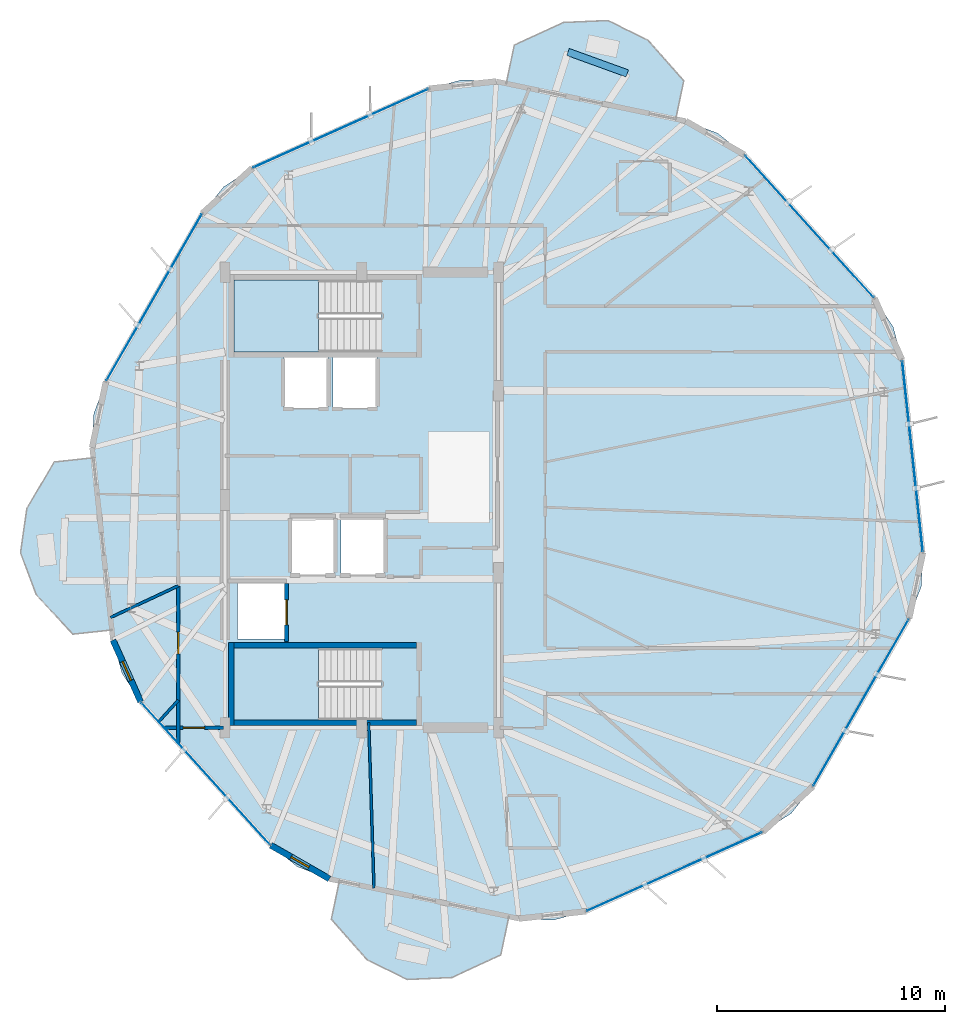
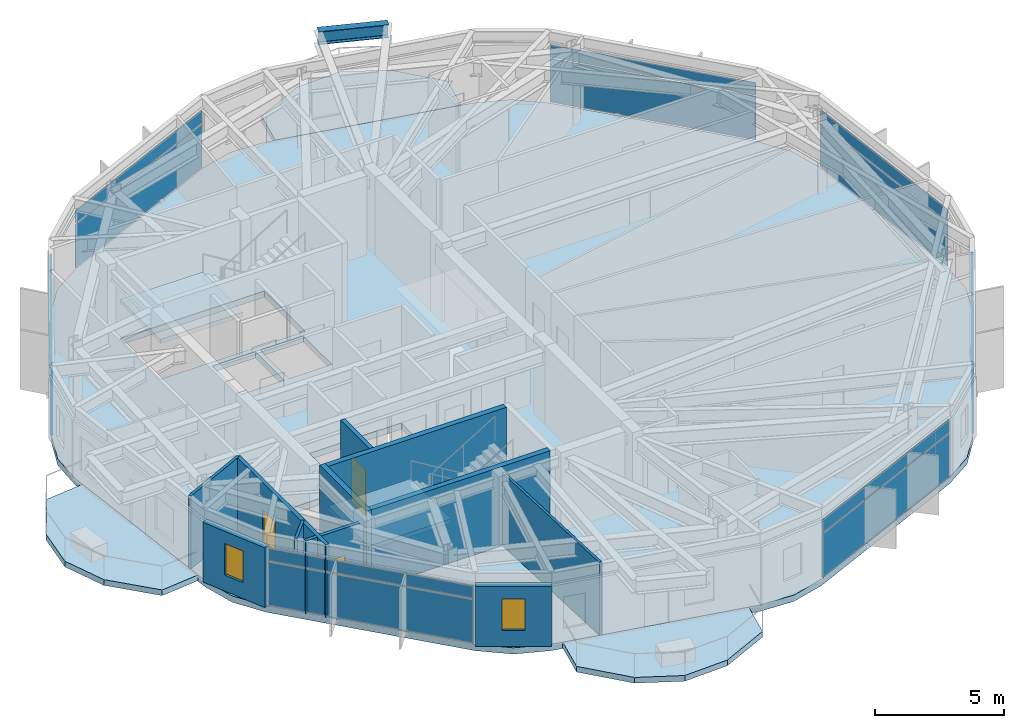
# One storey, part 16 of 23: 14 plates, 12 walls, 6 slabs, 3 doors, 2 windows, 1 beam, 5 openings, 9 elements without a shape of their own.
"""IFC4 building model written with IfcOpenShell, lengths in metres."""

from ifc_helpers import new_model, si_unit, direction, frame, frame_2d, origin, origin_2d, place, context, subcontext, project, spatial, polyline, rectangle, i_section, outline, extrude, material, layer, layer_set, material_profile, profile_set, type_object, element, fill, aggregate, save


model = new_model("IFC4")

# Units and contexts
model_context = context("Model", 3, precision=1e-05, world=origin(), true_north=direction((0.0, 1.0)))
body_context = subcontext(model_context, "Body", "Model", "MODEL_VIEW")
ifc_project = project(units=[si_unit("LENGTHUNIT", "METRE"), si_unit("AREAUNIT", "SQUARE_METRE"), si_unit("VOLUMEUNIT", "CUBIC_METRE"), si_unit("PLANEANGLEUNIT", "RADIAN"), si_unit("MASSUNIT", "GRAM", prefix="KILO")], contexts=[model_context])

# Site, building, storey
site_placement = place(None, origin())
site = spatial("IfcSite", under=ifc_project, at=site_placement, CompositionType="ELEMENT")
building_placement = place(site_placement, origin())
building = spatial("IfcBuilding", under=site, at=building_placement, Name="Soratama Intermodal Tower", CompositionType="ELEMENT")
storey_placement = place(building_placement, frame((0.0, 0.0, 253.75)))
storey = spatial("IfcBuildingStorey", under=building, at=storey_placement, Name="L64", CompositionType="ELEMENT", Elevation=253.75)

# Beam
ifc_material_1 = material(Name="Structural steel ASTM A992 Grade 50", Category="steel")
ifc_material_profile = material_profile(ifc_material_1, i_section(OverallWidth=0.324951171875, OverallDepth=0.615966796875, WebThickness=0.013916015625, FlangeThickness=0.021484375, FilletRadius=0.013916015625, at=origin_2d()), Name="W24X117")
ifc_profile_set = profile_set([ifc_material_profile], Name="Structural steel ASTM A992 Grade 50")
beam_type = type_object("IfcBeamType", Name="BM-CANT-W24X117", PredefinedType="BEAM", material=ifc_profile_set)
beam_placement = place(storey_placement, frame((50.25390625, 43.72412109375, 3.14208984375), z_axis=(-0.940200049983, 0.340622762028, 0.0), x_axis=(-0.340622762028, -0.940200049983, 0.0)))
element("IfcBeam", 1, at=beam_placement, inside=storey, type_object=beam_type, Name="BM-L64-CBHDR-1", PredefinedType="BEAM", context=body_context, shape_type="SweptSolid", body=[
    extrude(i_section(OverallWidth=0.324951171875, OverallDepth=0.615966796875, WebThickness=0.013916015625, FlangeThickness=0.021484375, FilletRadius=0.013916015625, at=origin_2d()), origin(), (0.0, 0.0, 1.0), 2.76513671875),
])

# Curtain wall, plates
ifc_material_2 = material(Name="Double-glazed aluminium curtain wall", Category="aluminium")
ifc_layer_1 = layer(ifc_material_2, 0.159912109375)
ifc_layer_set_1 = layer_set([ifc_layer_1], Name="Double-glazed aluminium curtain wall")
curtain_wall_type = type_object("IfcCurtainWallType", Name="CW-SYS-5", PredefinedType="NOTDEFINED", material=ifc_layer_set_1)
curtain_wall_1_placement = place(storey_placement, origin())
curtain_wall_1 = element("IfcCurtainWall", 2, at=curtain_wall_1_placement, inside=storey, type_object=curtain_wall_type, Name="L64 Faceted Curtain Wall F02", PredefinedType="NOTDEFINED")
ifc_material_3 = material(Name="Low-E laminated double glazing", Category="glass")
ifc_layer_2 = layer(ifc_material_3, 0.02001953125)
ifc_layer_set_2 = layer_set([ifc_layer_2], Name="Low-E laminated double glazing")
plate_type = type_object("IfcPlateType", Name="PT-CWP-5", PredefinedType="CURTAIN_PANEL", material=ifc_layer_set_2)
plate_1_placement = place(storey_placement, frame((37.67626953125, 41.31103515625, 0.06005859375), z_axis=(0.0, 0.0, 1.0), x_axis=(-0.912266572952, -0.409596996905, 0.0)))
plate_1 = element("IfcPlate", 3, at=plate_1_placement, type_object=plate_type, Name="CW-5 panel 1.1", PredefinedType="CURTAIN_PANEL", context=body_context, shape_type="SweptSolid", body=[
    extrude(rectangle(XDim=8.3798828125, YDim=0.028076171875, at=origin_2d()), origin(), (0.0, 0.0, 1.0), 2.06005859375),
])
plate_2_placement = place(storey_placement, frame((37.67626953125, 41.31103515625, 2.18017578125), z_axis=(0.0, 0.0, 1.0), x_axis=(-0.912266572952, -0.409596996905, 0.0)))
plate_2 = element("IfcPlate", 4, at=plate_2_placement, type_object=plate_type, Name="CW-5 panel 1.2", PredefinedType="CURTAIN_PANEL", context=body_context, shape_type="SweptSolid", body=[
    extrude(rectangle(XDim=8.3798828125, YDim=0.028076171875, at=origin_2d()), origin(), (0.0, 0.0, 1.0), 0.589111328125),
])
aggregate(curtain_wall_1, [plate_1, plate_2])

curtain_wall_2_placement = place(storey_placement, origin())
curtain_wall_2 = element("IfcCurtainWall", 5, at=curtain_wall_2_placement, inside=storey, type_object=curtain_wall_type, Name="L64 Faceted Curtain Wall F03", PredefinedType="NOTDEFINED")
plate_3_placement = place(storey_placement, frame((29.487548828125, 33.891357421875, 0.06005859375), z_axis=(0.0, 0.0, 1.0), x_axis=(-0.497283876625, -0.867587889524, 0.0)))
plate_3 = element("IfcPlate", 6, at=plate_3_placement, type_object=plate_type, Name="CW-5 panel 1.1", PredefinedType="CURTAIN_PANEL", context=body_context, shape_type="SweptSolid", body=[
    extrude(rectangle(XDim=8.3798828125, YDim=0.028076171875, at=origin_2d()), origin(), (0.0, 0.0, 1.0), 2.06005859375),
])
plate_4_placement = place(storey_placement, frame((29.487548828125, 33.891357421875, 2.18017578125), z_axis=(0.0, 0.0, 1.0), x_axis=(-0.497283876625, -0.867587889524, 0.0)))
plate_4 = element("IfcPlate", 7, at=plate_4_placement, type_object=plate_type, Name="CW-5 panel 1.2", PredefinedType="CURTAIN_PANEL", context=body_context, shape_type="SweptSolid", body=[
    extrude(rectangle(XDim=8.3798828125, YDim=0.028076171875, at=origin_2d()), origin(), (0.0, 0.0, 1.0), 0.589111328125),
])
aggregate(curtain_wall_2, [plate_3, plate_4])

curtain_wall_3_placement = place(storey_placement, origin())
curtain_wall_3 = element("IfcCurtainWall", 8, at=curtain_wall_3_placement, inside=storey, type_object=curtain_wall_type, Name="L64 Faceted Curtain Wall F05", PredefinedType="NOTDEFINED")
plate_5_placement = place(storey_placement, frame((31.750244140625, 12.994384765625, 0.06005859375), z_axis=(0.0, 0.0, 1.0), x_axis=(0.671461487364, -0.741039453057, 0.0)))
plate_5 = element("IfcPlate", 9, at=plate_5_placement, type_object=plate_type, Name="CW-5 panel 1.1", PredefinedType="CURTAIN_PANEL", context=body_context, shape_type="SweptSolid", body=[
    extrude(rectangle(XDim=8.3798828125, YDim=0.028076171875, at=origin_2d()), origin(), (0.0, 0.0, 1.0), 2.06005859375),
])
plate_6_placement = place(storey_placement, frame((31.750244140625, 12.994384765625, 2.18017578125), z_axis=(0.0, 0.0, 1.0), x_axis=(0.671461487364, -0.741039453057, 0.0)))
plate_6 = element("IfcPlate", 10, at=plate_6_placement, type_object=plate_type, Name="CW-5 panel 1.2", PredefinedType="CURTAIN_PANEL", context=body_context, shape_type="SweptSolid", body=[
    extrude(rectangle(XDim=8.3798828125, YDim=0.028076171875, at=origin_2d()), origin(), (0.0, 0.0, 1.0), 0.589111328125),
])
aggregate(curtain_wall_3, [plate_5, plate_6])

curtain_wall_4_placement = place(storey_placement, origin())
curtain_wall_4 = element("IfcCurtainWall", 11, at=curtain_wall_4_placement, inside=storey, type_object=curtain_wall_type, Name="L64 Faceted Curtain Wall F07", PredefinedType="NOTDEFINED")
plate_7_placement = place(storey_placement, frame((52.32373046875, 8.68896484375, 0.06005859375), z_axis=(0.0, 0.0, 1.0), x_axis=(0.912266572952, 0.409596996905, 0.0)))
plate_7 = element("IfcPlate", 12, at=plate_7_placement, type_object=plate_type, Name="CW-5 panel 1.1", PredefinedType="CURTAIN_PANEL", context=body_context, shape_type="SweptSolid", body=[
    extrude(rectangle(XDim=8.3798828125, YDim=0.028076171875, at=origin_2d()), origin(), (0.0, 0.0, 1.0), 2.06005859375),
])
plate_8_placement = place(storey_placement, frame((52.32373046875, 8.68896484375, 2.18017578125), z_axis=(0.0, 0.0, 1.0), x_axis=(0.912266572952, 0.409596996905, 0.0)))
plate_8 = element("IfcPlate", 13, at=plate_8_placement, type_object=plate_type, Name="CW-5 panel 1.2", PredefinedType="CURTAIN_PANEL", context=body_context, shape_type="SweptSolid", body=[
    extrude(rectangle(XDim=8.3798828125, YDim=0.028076171875, at=origin_2d()), origin(), (0.0, 0.0, 1.0), 0.589111328125),
])
aggregate(curtain_wall_4, [plate_7, plate_8])

curtain_wall_5_placement = place(storey_placement, origin())
curtain_wall_5 = element("IfcCurtainWall", 14, at=curtain_wall_5_placement, inside=storey, type_object=curtain_wall_type, Name="L64 Faceted Curtain Wall F08", PredefinedType="NOTDEFINED")
plate_9_placement = place(storey_placement, frame((60.512451171875, 16.108642578125, 0.06005859375), z_axis=(0.0, 0.0, 1.0), x_axis=(0.497283876625, 0.867587889524, 0.0)))
plate_9 = element("IfcPlate", 15, at=plate_9_placement, type_object=plate_type, Name="CW-5 panel 1.1", PredefinedType="CURTAIN_PANEL", context=body_context, shape_type="SweptSolid", body=[
    extrude(rectangle(XDim=8.3798828125, YDim=0.028076171875, at=origin_2d()), origin(), (0.0, 0.0, 1.0), 2.06005859375),
])
plate_10_placement = place(storey_placement, frame((60.512451171875, 16.108642578125, 2.18017578125), z_axis=(0.0, 0.0, 1.0), x_axis=(0.497283876625, 0.867587889524, 0.0)))
plate_10 = element("IfcPlate", 16, at=plate_10_placement, type_object=plate_type, Name="CW-5 panel 1.2", PredefinedType="CURTAIN_PANEL", context=body_context, shape_type="SweptSolid", body=[
    extrude(rectangle(XDim=8.3798828125, YDim=0.028076171875, at=origin_2d()), origin(), (0.0, 0.0, 1.0), 0.589111328125),
])
aggregate(curtain_wall_5, [plate_9, plate_10])

curtain_wall_6_placement = place(storey_placement, origin())
curtain_wall_6 = element("IfcCurtainWall", 17, at=curtain_wall_6_placement, inside=storey, type_object=curtain_wall_type, Name="L64 Faceted Curtain Wall F09", PredefinedType="NOTDEFINED")
plate_11_placement = place(storey_placement, frame((62.77587890625, 26.9248046875, 0.06005859375), z_axis=(0.0, 0.0, 1.0), x_axis=(-0.107661305973, 0.994187629774, 0.0)))
plate_11 = element("IfcPlate", 18, at=plate_11_placement, type_object=plate_type, Name="CW-5 panel 1.1", PredefinedType="CURTAIN_PANEL", context=body_context, shape_type="SweptSolid", body=[
    extrude(rectangle(XDim=8.3798828125, YDim=0.028076171875, at=origin_2d()), origin(), (0.0, 0.0, 1.0), 2.06005859375),
])
plate_12_placement = place(storey_placement, frame((62.77587890625, 26.9248046875, 2.18017578125), z_axis=(0.0, 0.0, 1.0), x_axis=(-0.107661305973, 0.994187629774, 0.0)))
plate_12 = element("IfcPlate", 19, at=plate_12_placement, type_object=plate_type, Name="CW-5 panel 1.2", PredefinedType="CURTAIN_PANEL", context=body_context, shape_type="SweptSolid", body=[
    extrude(rectangle(XDim=8.3798828125, YDim=0.028076171875, at=origin_2d()), origin(), (0.0, 0.0, 1.0), 0.589111328125),
])
aggregate(curtain_wall_6, [plate_11, plate_12])

curtain_wall_7_placement = place(storey_placement, origin())
curtain_wall_7 = element("IfcCurtainWall", 20, at=curtain_wall_7_placement, inside=storey, type_object=curtain_wall_type, Name="L64 Faceted Curtain Wall F10", PredefinedType="NOTDEFINED")
plate_13_placement = place(storey_placement, frame((58.249755859375, 37.005615234375, 0.06005859375), z_axis=(0.0, 0.0, 1.0), x_axis=(-0.671461487364, 0.741039453057, 0.0)))
plate_13 = element("IfcPlate", 21, at=plate_13_placement, type_object=plate_type, Name="CW-5 panel 1.1", PredefinedType="CURTAIN_PANEL", context=body_context, shape_type="SweptSolid", body=[
    extrude(rectangle(XDim=8.3798828125, YDim=0.028076171875, at=origin_2d()), origin(), (0.0, 0.0, 1.0), 2.06005859375),
])
plate_14_placement = place(storey_placement, frame((58.249755859375, 37.005615234375, 2.18017578125), z_axis=(0.0, 0.0, 1.0), x_axis=(-0.671461487364, 0.741039453057, 0.0)))
plate_14 = element("IfcPlate", 22, at=plate_14_placement, type_object=plate_type, Name="CW-5 panel 1.2", PredefinedType="CURTAIN_PANEL", context=body_context, shape_type="SweptSolid", body=[
    extrude(rectangle(XDim=8.3798828125, YDim=0.028076171875, at=origin_2d()), origin(), (0.0, 0.0, 1.0), 0.589111328125),
])
aggregate(curtain_wall_7, [plate_13, plate_14])

# Slabs
ifc_material_4 = material(Name="Concrete f'c 42 MPa", Category="concrete")
ifc_layer_3 = layer(ifc_material_4, 0.27001953125)
ifc_layer_set_3 = layer_set([ifc_layer_3], Name="Concrete f'c 42 MPa")
slab_type_1 = type_object("IfcSlabType", Name="SL-EXT-BAL1", PredefinedType="FLOOR", material=ifc_layer_set_3)
slab_1_placement = place(storey_placement, frame((0.0, 0.0, -0.27001953125)))
element("IfcSlab", 23, at=slab_1_placement, inside=storey, type_object=slab_type_1, Name="L64 Planted Balcony North 1", PredefinedType="FLOOR", context=body_context, shape_type="SweptSolid", body=[
    extrude(outline(polyline([(52.3818359375, 41.722412109375), (44.943115234375, 43.279052734375), (45.29541015625, 44.962646484375), (47.445068359375, 45.95849609375), (49.404052734375, 46.0439453125), (51.164306640625, 45.180419921875), (52.734130859375, 43.406005859375), (52.3818359375, 41.722412109375)])), origin(), (0.0, 0.0, 1.0), 0.27001953125),
])
slab_2_placement = place(storey_placement, frame((0.0, 0.0, -0.27001953125)))
element("IfcSlab", 24, at=slab_2_placement, inside=storey, type_object=slab_type_1, Name="L64 Planted Balcony West 2", PredefinedType="FLOOR", context=body_context, shape_type="SweptSolid", body=[
    extrude(outline(polyline([(26.81494140625, 26.85302734375), (27.63330078125, 19.29736328125), (25.923095703125, 19.1123046875), (24.3115234375, 20.848876953125), (23.625, 22.685546875), (23.902587890625, 24.626708984375), (25.10498046875, 26.667724609375), (26.81494140625, 26.85302734375)])), origin(), (0.0, 0.0, 1.0), 0.27001953125),
])
slab_3_placement = place(storey_placement, frame((0.0, 0.0, -0.27001953125)))
element("IfcSlab", 25, at=slab_3_placement, inside=storey, type_object=slab_type_1, Name="L64 Planted Balcony South 3", PredefinedType="FLOOR", context=body_context, shape_type="SweptSolid", body=[
    extrude(outline(polyline([(37.6181640625, 8.277587890625), (45.056884765625, 6.720947265625), (44.70458984375, 5.037353515625), (42.554931640625, 4.04150390625), (40.595947265625, 3.9560546875), (38.835693359375, 4.819580078125), (37.265869140625, 6.593994140625), (37.6181640625, 8.277587890625)])), origin(), (0.0, 0.0, 1.0), 0.27001953125),
])

# Stair, slab
ifc_material_5 = material(Name="Concrete f'c 42 MPa", Category="concrete")
stair_type = type_object("IfcStairType", Name="ST-CORE-DOGLEG", PredefinedType="HALF_TURN_STAIR", material=ifc_material_5)
stair_1_placement = place(storey_placement, origin())
stair_1 = element("IfcStair", 26, at=stair_1_placement, inside=storey, type_object=stair_type, Name="L64 ST-1", PredefinedType="HALF_TURN_STAIR")
ifc_material_6 = material(Name="Concrete f'c 42 MPa", Category="concrete")
ifc_layer_4 = layer(ifc_material_6, 0.219970703125)
ifc_layer_set_4 = layer_set([ifc_layer_4], Name="Concrete f'c 42 MPa")
slab_type_2 = type_object("IfcSlabType", Name="SL-STAIR-LAND", PredefinedType="LANDING", material=ifc_layer_set_4)
slab_4_placement = place(storey_placement, frame((0.0, 0.0, 1.675048828125)))
slab_4 = element("IfcSlab", 27, at=slab_4_placement, type_object=slab_type_2, Name="ST-1 landing 1", PredefinedType="LANDING", context=body_context, shape_type="SweptSolid", body=[
    extrude(outline(polyline([(36.699951171875, 18.5), (33.0, 18.5), (33.0, 15.35009765625), (36.699951171875, 15.35009765625), (36.699951171875, 18.5)])), origin(), (0.0, 0.0, 1.0), 0.199951171875),
])
aggregate(stair_1, [slab_4])

stair_2_placement = place(storey_placement, origin())
stair_2 = element("IfcStair", 28, at=stair_2_placement, inside=storey, type_object=stair_type, Name="L64 ST-2", PredefinedType="HALF_TURN_STAIR")
slab_5_placement = place(storey_placement, frame((0.0, 0.0, 1.675048828125)))
slab_5 = element("IfcSlab", 29, at=slab_5_placement, type_object=slab_type_2, Name="ST-2 landing 1", PredefinedType="LANDING", context=body_context, shape_type="SweptSolid", body=[
    extrude(outline(polyline([(36.699951171875, 34.64990234375), (33.0, 34.64990234375), (33.0, 31.5), (36.699951171875, 31.5), (36.699951171875, 34.64990234375)])), origin(), (0.0, 0.0, 1.0), 0.199951171875),
])
aggregate(stair_2, [slab_5])

# Slab
ifc_material_7 = material(Name="Concrete f'c 42 MPa", Category="concrete")
ifc_layer_5 = layer(ifc_material_7, 0.280029296875)
ifc_layer_set_5 = layer_set([ifc_layer_5], Name="Concrete f'c 42 MPa")
slab_type_3 = type_object("IfcSlabType", Name="SL-TWR-280", PredefinedType="FLOOR", material=ifc_layer_set_5)
slab_6_placement = place(storey_placement, frame((0.0, 0.0, -0.300048828125)))
element("IfcSlab", 30, at=slab_6_placement, inside=storey, type_object=slab_type_3, Name="L64 Structural Floor Slab", PredefinedType="FLOOR", context=body_context, shape_type="SweptSolid", body=[
    extrude(outline(polyline([(55.39599609375, 40.155029296875), (54.22607421875, 41.096435546875), (52.822265625, 41.630126953125), (44.502685546875, 43.371337890625), (43.002685546875, 43.4453125), (41.553466796875, 43.052001953125), (33.79931640625, 39.5703125), (32.54248046875, 38.74853515625), (31.60107421875, 37.578369140625), (27.374267578125, 30.2041015625), (26.84033203125, 28.80029296875), (26.7666015625, 27.30029296875), (27.681640625, 18.85009765625), (28.07470703125, 17.400634765625), (28.896728515625, 16.143798828125), (34.60400390625, 9.844970703125), (35.77392578125, 8.903564453125), (37.177734375, 8.369873046875), (45.497314453125, 6.628662109375), (46.997314453125, 6.5546875), (48.446533203125, 6.947998046875), (56.20068359375, 10.4296875), (57.45751953125, 11.25146484375), (58.39892578125, 12.421630859375), (62.625732421875, 19.7958984375), (63.15966796875, 21.19970703125), (63.2333984375, 22.69970703125), (62.318359375, 31.14990234375), (61.92529296875, 32.599365234375), (61.103271484375, 33.856201171875), (55.39599609375, 40.155029296875)]), holes=[polyline([(33.0, 15.35009765625), (39.47509765625, 15.35009765625), (39.47509765625, 18.5), (33.0, 18.5), (33.0, 15.35009765625)]), polyline([(35.260009765625, 21.409912109375), (33.139892578125, 21.409912109375), (33.139892578125, 18.889892578125), (35.260009765625, 18.889892578125), (35.260009765625, 21.409912109375)]), polyline([(37.409912109375, 24.260009765625), (35.489990234375, 24.260009765625), (35.489990234375, 21.739990234375), (37.409912109375, 21.739990234375), (37.409912109375, 24.260009765625)]), polyline([(39.610107421875, 24.260009765625), (37.68994140625, 24.260009765625), (37.68994140625, 21.739990234375), (39.610107421875, 21.739990234375), (39.610107421875, 24.260009765625)]), polyline([(37.110107421875, 31.260009765625), (35.18994140625, 31.260009765625), (35.18994140625, 29.0400390625), (37.110107421875, 29.0400390625), (37.110107421875, 31.260009765625)]), polyline([(39.260009765625, 31.260009765625), (37.340087890625, 31.260009765625), (37.340087890625, 29.0400390625), (39.260009765625, 29.0400390625), (39.260009765625, 31.260009765625)]), polyline([(33.0, 34.64990234375), (33.0, 31.5), (39.47509765625, 31.5), (39.47509765625, 34.64990234375), (33.0, 34.64990234375)])]), origin(), (0.0, 0.0, 1.0), 0.300048828125),
])

# Wall, opening, window
ifc_material_8 = material(Name="Concrete f'c 42 MPa", Category="concrete")
ifc_layer_6 = layer(ifc_material_8, 0.27001953125)
ifc_layer_set_6 = layer_set([ifc_layer_6], Name="Concrete f'c 42 MPa")
wall_type_1 = type_object("IfcWallType", Name="EW-CRN-270", PredefinedType="SOLIDWALL", material=ifc_layer_set_6)
wall_1_placement = place(storey_placement, frame((27.681640625, 18.85009765625, 0.0), z_axis=(0.0, 0.0, 1.0), x_axis=(0.40959459615, -0.912267650859, 0.0)))
wall_1 = element("IfcWall", 31, at=wall_1_placement, inside=storey, type_object=wall_type_1, Name="L64 Corner Closure Wall 04", PredefinedType="SOLIDWALL", context=body_context, shape_type="SweptSolid", body=[
    extrude(rectangle(XDim=2.966552734375, YDim=0.27001953125, at=frame_2d((1.4833984375, 0.0))), origin(), (0.0, 0.0, 1.0), 2.8291015625),
])
opening_1_placement = place(wall_1_placement, frame((1.033203125, 0.0, 0.75)))
opening_1 = element("IfcOpeningElement", 32, at=opening_1_placement, cuts=wall_1, Name="Opening WN-6", PredefinedType="OPENING", context=body_context, shape_type="SweptSolid", body=[
    extrude(rectangle(XDim=0.89990234375, YDim=1.5, at=frame_2d((0.449951171875, 0.75))), frame((0.0, 0.14501953125, 0.0), z_axis=(0.0, -1.0, 0.0), x_axis=(1.0, 0.0, 0.0)), (0.0, 0.0, 1.0), 0.2900390625),
])
ifc_material_9 = material(Name="Double-glazed aluminium window", Category="aluminium")
window_type = type_object("IfcWindowType", Name="WN-FAC-900", PartitioningType="SINGLE_PANEL", PredefinedType="WINDOW", material=ifc_material_9)
window_1_placement = place(opening_1_placement, origin())
window_1 = element("IfcWindow", 33, at=window_1_placement, inside=storey, type_object=window_type, Name="L64 Corner Window 04", OverallHeight=1.5, OverallWidth=0.89990234375, PartitioningType="SINGLE_PANEL", PredefinedType="WINDOW", context=body_context, shape_type="SweptSolid", body=[
    extrude(rectangle(XDim=0.89990234375, YDim=1.5, at=frame_2d((0.449951171875, 0.75))), frame((0.0, 0.030029296875, 0.0), z_axis=(0.0, -1.0, 0.0), x_axis=(1.0, 0.0, 0.0)), (0.0, 0.0, 1.0), 0.06005859375),
])
fill(opening_1, window_1)

wall_2_placement = place(storey_placement, frame((34.60400390625, 9.844970703125, 0.0), z_axis=(0.0, 0.0, 1.0), x_axis=(0.867604284104, -0.497255272677, 0.0)))
wall_2 = element("IfcWall", 34, at=wall_2_placement, inside=storey, type_object=wall_type_1, Name="L64 Corner Closure Wall 05", PredefinedType="SOLIDWALL", context=body_context, shape_type="SweptSolid", body=[
    extrude(rectangle(XDim=2.966552734375, YDim=0.27001953125, at=frame_2d((1.4833984375, 0.0))), origin(), (0.0, 0.0, 1.0), 2.8291015625),
])
opening_2_placement = place(wall_2_placement, frame((1.033203125, 0.0, 0.75)))
opening_2 = element("IfcOpeningElement", 35, at=opening_2_placement, cuts=wall_2, Name="Opening WN-6", PredefinedType="OPENING", context=body_context, shape_type="SweptSolid", body=[
    extrude(rectangle(XDim=0.89990234375, YDim=1.5, at=frame_2d((0.449951171875, 0.75))), frame((0.0, 0.14501953125, 0.0), z_axis=(0.0, -1.0, 0.0), x_axis=(1.0, 0.0, 0.0)), (0.0, 0.0, 1.0), 0.2900390625),
])
window_2_placement = place(opening_2_placement, origin())
window_2 = element("IfcWindow", 36, at=window_2_placement, inside=storey, type_object=window_type, Name="L64 Corner Window 05", OverallHeight=1.5, OverallWidth=0.89990234375, PartitioningType="SINGLE_PANEL", PredefinedType="WINDOW", context=body_context, shape_type="SweptSolid", body=[
    extrude(rectangle(XDim=0.89990234375, YDim=1.5, at=frame_2d((0.449951171875, 0.75))), frame((0.0, 0.030029296875, 0.0), z_axis=(0.0, -1.0, 0.0), x_axis=(1.0, 0.0, 0.0)), (0.0, 0.0, 1.0), 0.06005859375),
])
fill(opening_2, window_2)

# Wall, opening, door
ifc_material_10 = material(Name="Fire-rated gypsum stud partition", Category="concrete")
ifc_layer_7 = layer(ifc_material_10, 0.159912109375)
ifc_layer_set_7 = layer_set([ifc_layer_7], Name="Fire-rated gypsum stud partition")
wall_type_2 = type_object("IfcWallType", Name="IW-PART-R160", PredefinedType="PARTITIONING", material=ifc_layer_set_7)
wall_3_placement = place(storey_placement, frame((30.550048828125, 16.2099609375, 0.0), z_axis=(0.0, 0.0, 1.0), x_axis=(0.0, 1.0, 0.0)))
wall_3 = element("IfcWall", 37, at=wall_3_placement, inside=storey, type_object=wall_type_2, Name="L64 Partition W-L64-TP018", PredefinedType="PARTITIONING", context=body_context, shape_type="SweptSolid", body=[
    extrude(rectangle(XDim=5.02392578125, YDim=0.159912109375, at=frame_2d((2.511962890625, 0.0))), origin(), (0.0, 0.0, 1.0), 3.449951171875),
])
opening_3_placement = place(wall_3_placement, frame((2.037109375, 0.0, 0.0)))
opening_3 = element("IfcOpeningElement", 38, at=opening_3_placement, cuts=wall_3, Name="Opening ID-3", PredefinedType="OPENING", context=body_context, shape_type="SweptSolid", body=[
    extrude(rectangle(XDim=0.949951171875, YDim=2.14990234375, at=frame_2d((0.47509765625, 1.074951171875))), frame((0.0, 0.08984375, 0.0), z_axis=(0.0, -1.0, 0.0), x_axis=(1.0, 0.0, 0.0)), (0.0, 0.0, 1.0), 0.179931640625),
])
ifc_material_11 = material(Name="Solid hardwood acoustic door", Category="wood")
door_type_1 = type_object("IfcDoorType", Name="DR-ROOM-950", OperationType="NOTDEFINED", PredefinedType="DOOR", material=ifc_material_11)
door_1_placement = place(opening_3_placement, origin())
door_1 = element("IfcDoor", 39, at=door_1_placement, inside=storey, type_object=door_type_1, Name="L64 Door D-L64-TP009", OperationType="SINGLE_SWING_RIGHT", OverallHeight=2.14990234375, OverallWidth=0.949951171875, PredefinedType="DOOR", context=body_context, shape_type="SweptSolid", body=[
    extrude(rectangle(XDim=0.949951171875, YDim=2.14990234375, at=frame_2d((0.47509765625, 1.074951171875))), frame((0.0, 0.02490234375, 0.0), z_axis=(0.0, -1.0, 0.0), x_axis=(1.0, 0.0, 0.0)), (0.0, 0.0, 1.0), 0.050048828125),
])
fill(opening_3, door_1)

wall_4_placement = place(storey_placement, frame((32.530029296875, 15.0, 0.0), z_axis=(0.0, 0.0, 1.0), x_axis=(-1.0, 0.0, 0.0)))
wall_4 = element("IfcWall", 40, at=wall_4_placement, inside=storey, type_object=wall_type_2, Name="L64 Partition W-L64-TP029", PredefinedType="PARTITIONING", context=body_context, shape_type="SweptSolid", body=[
    extrude(rectangle(XDim=2.596923828125, YDim=0.159912109375, at=frame_2d((1.29833984375, 0.0))), origin(), (0.0, 0.0, 1.0), 3.449951171875),
])
opening_4_placement = place(wall_4_placement, frame((0.823974609375, 0.0, 0.0)))
opening_4 = element("IfcOpeningElement", 41, at=opening_4_placement, cuts=wall_4, Name="Opening ID-3", PredefinedType="OPENING", context=body_context, shape_type="SweptSolid", body=[
    extrude(rectangle(XDim=0.949951171875, YDim=2.14990234375, at=frame_2d((0.47509765625, 1.074951171875))), frame((0.0, 0.08984375, 0.0), z_axis=(0.0, -1.0, 0.0), x_axis=(1.0, 0.0, 0.0)), (0.0, 0.0, 1.0), 0.179931640625),
])
door_2_placement = place(opening_4_placement, origin())
door_2 = element("IfcDoor", 42, at=door_2_placement, inside=storey, type_object=door_type_1, Name="L64 Door D-L64-TP016", OperationType="SINGLE_SWING_LEFT", OverallHeight=2.14990234375, OverallWidth=0.949951171875, PredefinedType="DOOR", context=body_context, shape_type="SweptSolid", body=[
    extrude(rectangle(XDim=0.949951171875, YDim=2.14990234375, at=frame_2d((0.47509765625, 1.074951171875))), frame((0.0, 0.02490234375, 0.0), z_axis=(0.0, -1.0, 0.0), x_axis=(1.0, 0.0, 0.0)), (0.0, 0.0, 1.0), 0.050048828125),
])
fill(opening_4, door_2)

# Walls
wall_5_placement = place(storey_placement, frame((30.550048828125, 14.319091796875, 0.0), z_axis=(0.0, 0.0, 1.0), x_axis=(0.0, 1.0, 0.0)))
element("IfcWall", 43, at=wall_5_placement, inside=storey, type_object=wall_type_2, Name="L64 Partition W-L64-TP045", PredefinedType="PARTITIONING", context=body_context, shape_type="SweptSolid", body=[
    extrude(rectangle(XDim=1.890869140625, YDim=0.159912109375, at=frame_2d((0.9453125, 0.0))), origin(), (0.0, 0.0, 1.0), 3.449951171875),
])
ifc_material_12 = material(Name="Fire-rated gypsum stud partition", Category="concrete")
ifc_layer_8 = layer(ifc_material_12, 0.110107421875)
ifc_layer_set_8 = layer_set([ifc_layer_8], Name="Fire-rated gypsum stud partition")
wall_type_3 = type_object("IfcWallType", Name="IW-PART-S110", PredefinedType="PARTITIONING", material=ifc_layer_set_8)
wall_6_placement = place(storey_placement, frame((38.907958984375, 15.22998046875, 0.0), z_axis=(0.0, 0.0, 1.0), x_axis=(0.031618275785, -0.999500017327, 0.0)))
element("IfcWall", 44, at=wall_6_placement, inside=storey, type_object=wall_type_3, Name="L64 Partition W-L64-TP012", PredefinedType="PARTITIONING", context=body_context, shape_type="SweptSolid", body=[
    extrude(rectangle(XDim=7.273681640625, YDim=0.110107421875, at=frame_2d((3.63671875, 0.0))), origin(), (0.0, 0.0, 1.0), 3.449951171875),
])
ifc_material_13 = material(Name="Fire-rated gypsum stud partition", Category="concrete")
ifc_layer_9 = layer(ifc_material_13, 0.1201171875)
ifc_layer_set_9 = layer_set([ifc_layer_9], Name="Fire-rated gypsum stud partition")
wall_type_4 = type_object("IfcWallType", Name="IW-PART-S120", PredefinedType="PARTITIONING", material=ifc_layer_set_9)
wall_7_placement = place(storey_placement, frame((30.550048828125, 21.23388671875, 0.0), z_axis=(0.0, 0.0, 1.0), x_axis=(-0.905831620634, -0.423637905598, 0.0)))
element("IfcWall", 45, at=wall_7_placement, inside=storey, type_object=wall_type_4, Name="L64 Partition W-L64-TP026", PredefinedType="PARTITIONING", context=body_context, shape_type="SweptSolid", body=[
    extrude(rectangle(XDim=3.285400390625, YDim=0.1201171875, at=frame_2d((1.642578125, 0.0))), origin(), (0.0, 0.0, 1.0), 3.449951171875),
])
wall_8_placement = place(storey_placement, frame((30.550048828125, 16.2099609375, 0.0), z_axis=(0.0, 0.0, 1.0), x_axis=(-0.67511765293, -0.737710074963, 0.0)))
element("IfcWall", 46, at=wall_8_placement, inside=storey, type_object=wall_type_4, Name="L64 Partition W-L64-TP051", PredefinedType="PARTITIONING", context=body_context, shape_type="SweptSolid", body=[
    extrude(rectangle(XDim=1.275390625, YDim=0.1201171875, at=frame_2d((0.6376953125, 0.0))), origin(), (0.0, 0.0, 1.0), 3.449951171875),
])

# Wall, opening, door
ifc_material_14 = material(Name="Concrete f'c 42 MPa", Category="concrete")
ifc_layer_10 = layer(ifc_material_14, 0.18505859375)
ifc_layer_set_10 = layer_set([ifc_layer_10], Name="Concrete f'c 42 MPa")
wall_type_5 = type_object("IfcWallType", Name="IW-SHAFT-185", PredefinedType="SOLIDWALL", material=ifc_layer_set_10)
wall_9_placement = place(storey_placement, frame((35.300048828125, 18.7900390625, 0.0), z_axis=(0.0, 0.0, 1.0), x_axis=(0.0, 1.0, 0.0)))
wall_9 = element("IfcWall", 47, at=wall_9_placement, inside=storey, type_object=wall_type_5, Name="L64 SVL-1 Hoistway Wall E", PredefinedType="SOLIDWALL", context=body_context, shape_type="SweptSolid", body=[
    extrude(rectangle(XDim=2.550048828125, YDim=0.18505859375, at=frame_2d((1.27490234375, 0.0))), origin(), (0.0, 0.0, 1.0), 3.449951171875),
])
opening_5_placement = place(wall_9_placement, frame((0.72509765625, 0.0, 0.0)))
opening_5 = element("IfcOpeningElement", 48, at=opening_5_placement, cuts=wall_9, Name="Opening LD-1", PredefinedType="OPENING", context=body_context, shape_type="SweptSolid", body=[
    extrude(rectangle(XDim=1.10009765625, YDim=2.14990234375, at=frame_2d((0.550048828125, 1.074951171875))), frame((0.0, 0.1025390625, 0.0), z_axis=(0.0, -1.0, 0.0), x_axis=(1.0, 0.0, 0.0)), (0.0, 0.0, 1.0), 0.205078125),
])
ifc_material_15 = material(Name="Steel fire door", Category="steel")
door_type_2 = type_object("IfcDoorType", Name="DR-LIFT-SLIDE", OperationType="NOTDEFINED", PredefinedType="DOOR", material=ifc_material_15)
door_3_placement = place(opening_5_placement, origin())
door_3 = element("IfcDoor", 49, at=door_3_placement, inside=storey, type_object=door_type_2, Name="L64 SVL-1 Sliding Landing Door", OperationType="SLIDING_TO_LEFT", OverallHeight=2.14990234375, OverallWidth=1.10009765625, PredefinedType="DOOR", context=body_context, shape_type="SweptSolid", body=[
    extrude(rectangle(XDim=1.10009765625, YDim=2.14990234375, at=frame_2d((0.550048828125, 1.074951171875))), frame((0.0, 0.02490234375, 0.0), z_axis=(0.0, -1.0, 0.0), x_axis=(1.0, 0.0, 0.0)), (0.0, 0.0, 1.0), 0.050048828125),
])
fill(opening_5, door_3)

# Walls
ifc_material_16 = material(Name="Concrete f'c 56 MPa", Category="concrete")
ifc_layer_11 = layer(ifc_material_16, 0.239990234375)
ifc_layer_set_11 = layer_set([ifc_layer_11], Name="Concrete f'c 56 MPa")
wall_type_6 = type_object("IfcWallType", Name="SW-STAIR-240", PredefinedType="SHEAR", material=ifc_layer_set_11)
wall_10_placement = place(storey_placement, frame((32.8798828125, 15.110107421875, 0.0), z_axis=(0.0, 0.0, 1.0), x_axis=(0.0, 1.0, 0.0)))
element("IfcWall", 50, at=wall_10_placement, inside=storey, type_object=wall_type_6, Name="L64 ST-1 Shaft Shear Wall W", PredefinedType="SHEAR", context=body_context, shape_type="SweptSolid", body=[
    extrude(rectangle(XDim=3.6298828125, YDim=0.239990234375, at=frame_2d((1.81494140625, 0.0))), origin(), (0.0, 0.0, 1.0), 3.75),
])
for number, where, z_axis, x_axis, name in (
    (51, (33.0, 15.22998046875, 0.0), (0.0, 0.0, 1.0), (1.0, 0.0, 0.0), "L64 ST-1 Shaft Shear Wall S"),
    (52, (33.0, 18.6201171875, 0.0), (0.0, 0.0, 1.0), (1.0, 0.0, 0.0), "L64 ST-1 Shaft Shear Wall N"),
):
    element("IfcWall", number, at=place(storey_placement, frame(where, z_axis=z_axis, x_axis=x_axis)), inside=storey, type_object=wall_type_6, Name=name, PredefinedType="SHEAR", context=body_context, shape_type="SweptSolid", body=[
        extrude(rectangle(XDim=8.0, YDim=0.239990234375, at=frame_2d((4.0, 0.0))), origin(), (0.0, 0.0, 1.0), 3.75),
    ])

save(model, "model.ifc")
